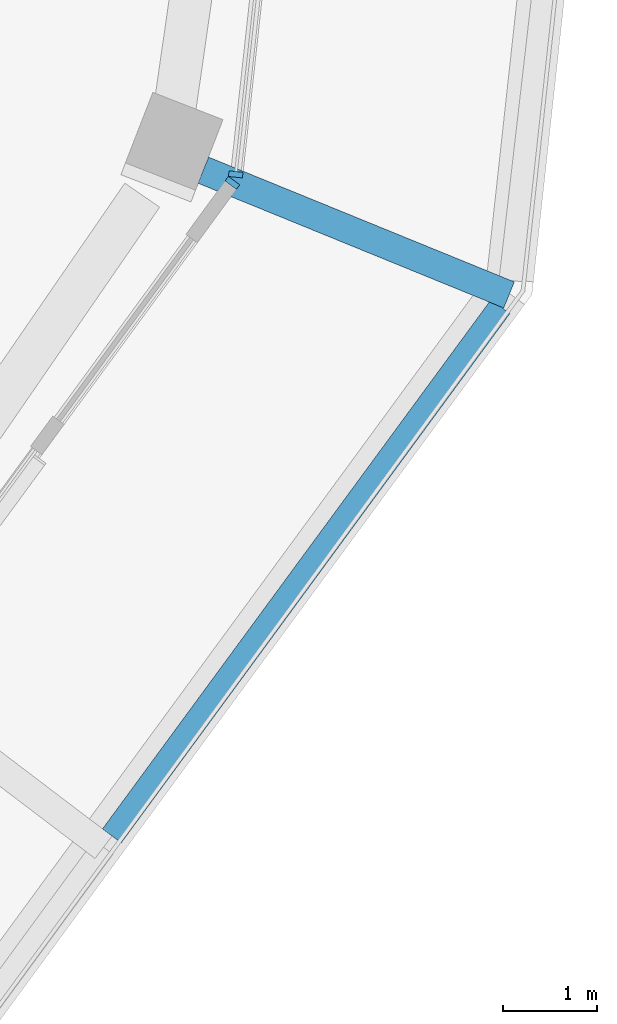
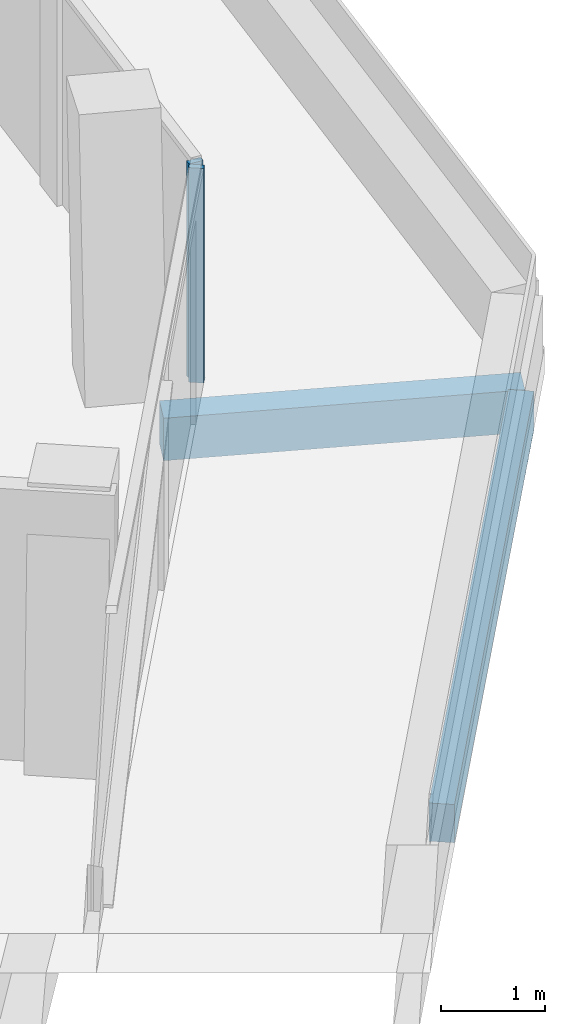
# One storey, part 5 of 22: 2 beams, 2 members, 2 elements without a shape of their own.
"""IFC4 building model written with IfcOpenShell, lengths in metres."""

from ifc_helpers import new_model, si_unit, direction, frame, origin, origin_2d, place, context, subcontext, project, spatial, rectangle, extrude, material, layer, layer_set, material_profile, profile_set, type_object, element, aggregate, save


model = new_model("IFC4")

# Units and contexts
model_context = context("Model", 3, precision=1e-05, world=origin(), true_north=direction((0.0, 1.0)))
body_context = subcontext(model_context, "Body", "Model", "MODEL_VIEW")
ifc_project = project(units=[si_unit("LENGTHUNIT", "METRE"), si_unit("AREAUNIT", "SQUARE_METRE"), si_unit("VOLUMEUNIT", "CUBIC_METRE"), si_unit("PLANEANGLEUNIT", "RADIAN"), si_unit("MASSUNIT", "GRAM", prefix="KILO")], contexts=[model_context])

# Site, building, storey
site_placement = place(None, origin())
site = spatial("IfcSite", under=ifc_project, at=site_placement, CompositionType="ELEMENT")
building_placement = place(site_placement, origin())
building = spatial("IfcBuilding", under=site, at=building_placement, Name="Verdalira Terraces Hotel", CompositionType="ELEMENT")
storey_placement = place(building_placement, frame((0.0, 0.0, 252.5)))
storey = spatial("IfcBuildingStorey", under=building, at=storey_placement, Name="L62", CompositionType="ELEMENT", Elevation=252.5)

# Beams
ifc_material_1 = material(Name="Concrete C40", Category="concrete")
ifc_material_profile_1 = material_profile(ifc_material_1, rectangle(XDim=0.300049, YDim=0.5, at=origin_2d()), Name="RC 300X500")
ifc_profile_set_1 = profile_set([ifc_material_profile_1], Name="Concrete C40")
beam_type_1 = type_object("IfcBeamType", Name="Balcony cantilever beam RC 300X500 C40", PredefinedType="BEAM", material=ifc_profile_set_1)
beam_1_placement = place(storey_placement, frame((22.996094, -8.975342, -0.560059), z_axis=(0.925882842, -0.37781075, 0.0), x_axis=(0.37781075, 0.925882842, 0.0)))
element("IfcBeam", 1, at=beam_1_placement, inside=storey, type_object=beam_type_1, Name="Balcony cantilever beam R26-3", PredefinedType="BEAM", context=body_context, shape_type="SweptSolid", body=[
    extrude(rectangle(XDim=0.300049, YDim=0.5, at=origin_2d()), origin(), (0.0, 0.0, 1.0), 3.515869),
])
ifc_material_2 = material(Name="Concrete C40", Category="concrete")
ifc_material_profile_2 = material_profile(ifc_material_2, rectangle(XDim=0.25, YDim=0.449951, at=origin_2d()), Name="RC 250X450")
ifc_profile_set_2 = profile_set([ifc_material_profile_2], Name="Concrete C40")
beam_type_2 = type_object("IfcBeamType", Name="Balcony edge beam RC 250X450 C40", PredefinedType="BEAM", material=ifc_profile_set_2)
beam_2_placement = place(storey_placement, frame((22.022217, -16.063965, -0.534912), z_axis=(0.591828328, 0.806064036, 0.0), x_axis=(-0.806064036, 0.591828328, 0.0)))
element("IfcBeam", 2, at=beam_2_placement, inside=storey, type_object=beam_type_2, Name="Balcony edge beam R26-2", PredefinedType="BEAM", context=body_context, shape_type="SweptSolid", body=[
    extrude(rectangle(XDim=0.25, YDim=0.449951, at=origin_2d()), origin(), (0.0, 0.0, 1.0), 6.991455),
])

# Curtain wall, member
ifc_material_3 = material(Name="Clear glass", Category="glass")
ifc_layer = layer(ifc_material_3, 0.14990234375)
ifc_layer_set = layer_set([ifc_layer], Name="CW1 curtain wall")
curtain_wall_type = type_object("IfcCurtainWallType", Name="CW1 curtain wall", PredefinedType="NOTDEFINED", material=ifc_layer_set)
curtain_wall_1_placement = place(storey_placement, origin())
curtain_wall_1 = element("IfcCurtainWall", 3, at=curtain_wall_1_placement, inside=storey, type_object=curtain_wall_type, Name="CW1 curtain wall L62 edge 26", PredefinedType="NOTDEFINED")
ifc_material_4 = material(Name="Terracotta frame", Category="masonry")
ifc_material_profile_3 = material_profile(ifc_material_4, rectangle(XDim=0.060059, YDim=0.149902, at=origin_2d()), Name="MU 60x150")
ifc_profile_set_3 = profile_set([ifc_material_profile_3], Name="Terracotta frame")
member_type = type_object("IfcMemberType", Name="CW1 mullion 60x150", PredefinedType="MULLION", material=ifc_profile_set_3)
member_1_placement = place(storey_placement, frame((23.306152, -9.110596, 0.0), z_axis=(0.0, 0.0, 1.0), x_axis=(0.591168888, 0.806547795, 0.0)))
member_1 = element("IfcMember", 4, at=member_1_placement, type_object=member_type, Name="CW1 mullion", PredefinedType="MULLION", context=body_context, shape_type="SweptSolid", body=[
    extrude(rectangle(XDim=0.060059, YDim=0.149902, at=origin_2d()), origin(), (0.0, 0.0, 1.0), 2.524902),
])
aggregate(curtain_wall_1, [member_1])

curtain_wall_2_placement = place(storey_placement, origin())
curtain_wall_2 = element("IfcCurtainWall", 5, at=curtain_wall_2_placement, inside=storey, type_object=curtain_wall_type, Name="CW1 curtain wall L62 edge 27", PredefinedType="NOTDEFINED")
member_2_placement = place(storey_placement, frame((23.341064, -9.020264, 0.0), z_axis=(0.0, 0.0, 1.0), x_axis=(0.108693378, 0.994075324, 0.0)))
member_2 = element("IfcMember", 6, at=member_2_placement, type_object=member_type, Name="CW1 mullion", PredefinedType="MULLION", context=body_context, shape_type="SweptSolid", body=[
    extrude(rectangle(XDim=0.060059, YDim=0.149902, at=origin_2d()), origin(), (0.0, 0.0, 1.0), 2.524902),
])
aggregate(curtain_wall_2, [member_2])

save(model, "model.ifc")
